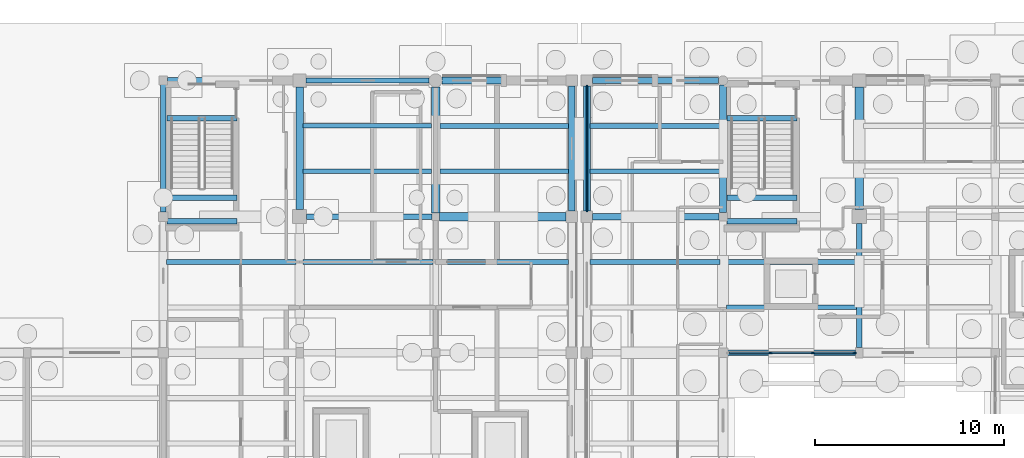
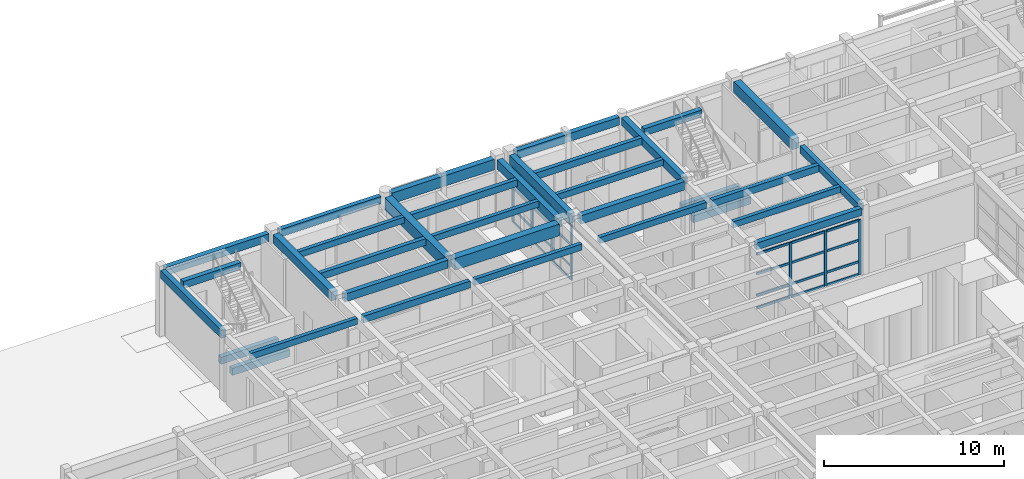
# One storey, part 61 of 143: 34 beams, 31 members, 2 elements without a shape of their own.
"""IFC4 building model written with IfcOpenShell, lengths in metres."""

from ifc_helpers import new_model, si_unit, direction, frame, origin, origin_2d, place, context, subcontext, project, spatial, rectangle, extrude, material, material_profile, profile_set, type_object, element, aggregate, save


model = new_model("IFC4")

# Units and contexts
model_context = context("Model", 3, precision=1e-05, world=origin(), true_north=direction((0.0, 1.0)))
body_context = subcontext(model_context, "Body", "Model", "MODEL_VIEW")
ifc_project = project(units=[si_unit("LENGTHUNIT", "METRE"), si_unit("AREAUNIT", "SQUARE_METRE"), si_unit("VOLUMEUNIT", "CUBIC_METRE"), si_unit("PLANEANGLEUNIT", "RADIAN"), si_unit("MASSUNIT", "GRAM", prefix="KILO")], contexts=[model_context])

# Site, building, storey
site_placement = place(None, origin())
site = spatial("IfcSite", under=ifc_project, at=site_placement, CompositionType="ELEMENT")
building_placement = place(site_placement, origin())
building = spatial("IfcBuilding", under=site, at=building_placement, Name="Steenspoor Specialist Clinic", CompositionType="ELEMENT")
storey_placement = place(building_placement, origin())
storey = spatial("IfcBuildingStorey", under=building, at=storey_placement, Name="L00", CompositionType="ELEMENT", Elevation=0.0)

# Beams
ifc_material_1 = material(Name="Concrete C35/45", Category="concrete")
ifc_material_profile_1 = material_profile(ifc_material_1, rectangle(XDim=0.300048828125, YDim=0.47998046875, at=origin_2d()), Name="RC-BM-300X480")
ifc_profile_set_1 = profile_set([ifc_material_profile_1], Name="Concrete C35/45")
beam_type_1 = type_object("IfcBeamType", Name="BM-RC-300X480", PredefinedType="BEAM", material=ifc_profile_set_1)
for number, where, z_axis, x_axis, name in (
    (1, (59.800048828125, 102.14990234375, 1.9599609375), (1.0, 0.0, 0.0), (0.0, 1.0, 0.0), "Stair Mid-Landing Bearer 1 ST-V4A L00"),
    (2, (59.800048828125, 100.89990234375, 1.9599609375), (1.0, 0.0, 0.0), (0.0, 1.0, 0.0), "Stair Mid-Landing Bearer 2 ST-V4A L00"),
    (3, (59.800048828125, 106.35009765625, 4.56005859375), (1.0, 0.0, 0.0), (0.0, 1.0, 0.0), "Stair Well Trimmer Beam ST-V4A L00"),
    (4, (30.199951171875, 102.14990234375, 1.9599609375), (1.0, 0.0, 0.0), (0.0, 1.0, 0.0), "Stair Mid-Landing Bearer 1 ST-V5A L00"),
    (5, (30.199951171875, 100.89990234375, 1.9599609375), (1.0, 0.0, 0.0), (0.0, 1.0, 0.0), "Stair Mid-Landing Bearer 2 ST-V5A L00"),
    (6, (30.199951171875, 106.35009765625, 4.56005859375), (1.0, 0.0, 0.0), (0.0, 1.0, 0.0), "Stair Well Trimmer Beam ST-V5A L00"),
):
    element("IfcBeam", number, at=place(storey_placement, frame(where, z_axis=z_axis, x_axis=x_axis)), inside=storey, type_object=beam_type_1, Name=name, PredefinedType="BEAM", context=body_context, shape_type="SweptSolid", body=[
        extrude(rectangle(XDim=0.300048828125, YDim=0.47998046875, at=origin_2d()), origin(), (0.0, 0.0, 1.0), 3.699951171875),
    ])
beam_1_placement = place(storey_placement, frame((59.844970703125, 93.949951171875, 4.31005859375), z_axis=(1.0, 0.0, 0.0), x_axis=(0.0, 1.0, 0.0)))
element("IfcBeam", 7, at=beam_1_placement, inside=storey, type_object=beam_type_1, Name="BM-V4-L00-X0318", PredefinedType="BEAM", context=body_context, shape_type="SweptSolid", body=[
    extrude(rectangle(XDim=0.300048828125, YDim=0.47998046875, at=origin_2d()), origin(), (0.0, 0.0, 1.0), 6.760009765625),
])
beam_2_placement = place(storey_placement, frame((66.800048828125, 94.219970703125, 4.31005859375), z_axis=(0.0, 1.0, 0.0), x_axis=(-1.0, 0.0, 0.0)))
element("IfcBeam", 8, at=beam_2_placement, inside=storey, type_object=beam_type_1, Name="BM-V4-L00-Y0355", PredefinedType="BEAM", context=body_context, shape_type="SweptSolid", body=[
    extrude(rectangle(XDim=0.300048828125, YDim=0.47998046875, at=origin_2d()), origin(), (0.0, 0.0, 1.0), 6.56005859375),
])
ifc_material_profile_2 = material_profile(ifc_material_1, rectangle(XDim=0.300048828125, YDim=0.550048828125, at=origin_2d()), Name="RC-BM-300X550")
ifc_profile_set_2 = profile_set([ifc_material_profile_2], Name="Concrete C35/45")
beam_type_2 = type_object("IfcBeamType", Name="BM-RC-300X550", PredefinedType="BEAM", material=ifc_profile_set_2)
beam_3_placement = place(storey_placement, frame((37.570068359375, 101.14990234375, 4.2451171875), z_axis=(1.0, 0.0, 0.0), x_axis=(0.0, 1.0, 0.0)))
element("IfcBeam", 9, at=beam_3_placement, inside=storey, type_object=beam_type_2, Name="BM-V5-L00-X1075", PredefinedType="BEAM", context=body_context, shape_type="SweptSolid", body=[
    extrude(rectangle(XDim=0.300048828125, YDim=0.550048828125, at=origin_2d()), origin(), (0.0, 0.0, 1.0), 6.635009765625),
])
beam_4_placement = place(storey_placement, frame((30.0, 101.39501953125, 4.2451171875), z_axis=(0.0, 1.0, 0.0), x_axis=(-1.0, 0.0, 0.0)))
element("IfcBeam", 10, at=beam_4_placement, inside=storey, type_object=beam_type_2, Name="BM-V5-L00-Y1093", PredefinedType="BEAM", context=body_context, shape_type="SweptSolid", body=[
    extrude(rectangle(XDim=0.300048828125, YDim=0.550048828125, at=origin_2d()), origin(), (0.0, 0.0, 1.0), 6.73486328125),
])
ifc_material_profile_3 = material_profile(ifc_material_1, rectangle(XDim=0.35009765625, YDim=0.52001953125, at=origin_2d()), Name="RC-BM-350X520")
ifc_profile_set_3 = profile_set([ifc_material_profile_3], Name="Concrete C35/45")
beam_type_3 = type_object("IfcBeamType", Name="BM-RC-350X520", PredefinedType="BEAM", material=ifc_profile_set_3)
beam_5_placement = place(storey_placement, frame((59.60009765625, 101.3701171875, 4.2900390625), z_axis=(0.0, 1.0, 0.0), x_axis=(-1.0, 0.0, 0.0)))
element("IfcBeam", 11, at=beam_5_placement, inside=storey, type_object=beam_type_3, Name="BM-V4-L00-Y0352", PredefinedType="BEAM", context=body_context, shape_type="SweptSolid", body=[
    extrude(rectangle(XDim=0.35009765625, YDim=0.52001953125, at=origin_2d()), origin(), (0.0, 0.0, 1.0), 6.73486328125),
])
ifc_material_profile_4 = material_profile(ifc_material_1, rectangle(XDim=0.35009765625, YDim=0.580078125, at=origin_2d()), Name="RC-BM-350X580")
ifc_profile_set_4 = profile_set([ifc_material_profile_4], Name="Concrete C35/45")
beam_type_4 = type_object("IfcBeamType", Name="BM-RC-350X580", PredefinedType="BEAM", material=ifc_profile_set_4)
beam_6_placement = place(storey_placement, frame((52.695068359375, 101.14990234375, 4.260009765625), z_axis=(1.0, 0.0, 0.0), x_axis=(0.0, 1.0, 0.0)))
element("IfcBeam", 12, at=beam_6_placement, inside=storey, type_object=beam_type_4, Name="BM-V4-L00-X0326", PredefinedType="BEAM", context=body_context, shape_type="SweptSolid", body=[
    extrude(rectangle(XDim=0.35009765625, YDim=0.580078125, at=origin_2d()), origin(), (0.0, 0.0, 1.0), 6.684814453125),
])
ifc_material_profile_5 = material_profile(ifc_material_1, rectangle(XDim=0.39990234375, YDim=0.580078125, at=origin_2d()), Name="RC-BM-400X580")
ifc_profile_set_5 = profile_set([ifc_material_profile_5], Name="Concrete C35/45")
beam_type_5 = type_object("IfcBeamType", Name="BM-RC-400X580", PredefinedType="BEAM", material=ifc_profile_set_5)
beam_7_placement = place(storey_placement, frame((37.199951171875, 101.52001953125, 4.22998046875), z_axis=(0.0, 1.0, 0.0), x_axis=(-1.0, 0.0, 0.0)))
element("IfcBeam", 13, at=beam_7_placement, inside=storey, type_object=beam_type_5, Name="BM-V5-L00-Y1099", PredefinedType="BEAM", context=body_context, shape_type="SweptSolid", body=[
    extrude(rectangle(XDim=0.39990234375, YDim=0.580078125, at=origin_2d()), origin(), (0.0, 0.0, 1.0), 6.48486328125),
])
ifc_material_profile_6 = material_profile(ifc_material_1, rectangle(XDim=0.449951171875, YDim=0.719970703125, at=origin_2d()), Name="RC-BM-450X720")
ifc_profile_set_6 = profile_set([ifc_material_profile_6], Name="Concrete C35/45")
beam_type_6 = type_object("IfcBeamType", Name="BM-RC-450X720", PredefinedType="BEAM", material=ifc_profile_set_6)
beam_8_placement = place(storey_placement, frame((66.800048828125, 101.52001953125, 4.18994140625), z_axis=(0.0, 1.0, 0.0), x_axis=(-1.0, 0.0, 0.0)))
element("IfcBeam", 14, at=beam_8_placement, inside=storey, type_object=beam_type_6, Name="BM-V4-L00-Y0356", PredefinedType="BEAM", context=body_context, shape_type="SweptSolid", body=[
    extrude(rectangle(XDim=0.449951171875, YDim=0.719970703125, at=origin_2d()), origin(), (0.0, 0.0, 1.0), 6.48486328125),
])
ifc_material_profile_7 = material_profile(ifc_material_1, rectangle(XDim=0.449951171875, YDim=0.800048828125, at=origin_2d()), Name="RC-BM-450X800")
ifc_profile_set_7 = profile_set([ifc_material_profile_7], Name="Concrete C35/45")
beam_type_7 = type_object("IfcBeamType", Name="BM-RC-450X800", PredefinedType="BEAM", material=ifc_profile_set_7)
beam_9_placement = place(storey_placement, frame((44.594970703125, 101.14990234375, 4.1201171875), z_axis=(1.0, 0.0, 0.0), x_axis=(0.0, 1.0, 0.0)))
element("IfcBeam", 15, at=beam_9_placement, inside=storey, type_object=beam_type_7, Name="BM-V5-L00-X1076", PredefinedType="BEAM", context=body_context, shape_type="SweptSolid", body=[
    extrude(rectangle(XDim=0.449951171875, YDim=0.800048828125, at=origin_2d()), origin(), (0.0, 0.0, 1.0), 6.7099609375),
])
beam_10_placement = place(storey_placement, frame((44.39990234375, 101.344970703125, 4.1201171875), z_axis=(0.0, 1.0, 0.0), x_axis=(-1.0, 0.0, 0.0)))
element("IfcBeam", 16, at=beam_10_placement, inside=storey, type_object=beam_type_7, Name="BM-V5-L00-Y1105", PredefinedType="BEAM", context=body_context, shape_type="SweptSolid", body=[
    extrude(rectangle(XDim=0.449951171875, YDim=0.800048828125, at=origin_2d()), origin(), (0.0, 0.0, 1.0), 6.659912109375),
])

# Curtain wall, members
ifc_material_2 = material(Name="Thermally broken aluminium and low-emissivity glass", Category="aluminium")
curtain_wall_type_1 = type_object("IfcCurtainWallType", Name="CW-L00-360X415", PredefinedType="USERDEFINED", material=ifc_material_2)
curtain_wall_1_placement = place(storey_placement, origin())
curtain_wall_1 = element("IfcCurtainWall", 17, at=curtain_wall_1_placement, inside=storey, type_object=curtain_wall_type_1, Name="Unitised Curtain Wall CW-V4-L00-055", ObjectType="UNITISED GLAZING", PredefinedType="USERDEFINED")
ifc_material_3 = material(Name="Thermally broken aluminium 6063-T6", Category="aluminium")
ifc_material_profile_8 = material_profile(ifc_material_3, rectangle(XDim=0.080078125, YDim=0.179931640625, at=origin_2d()), Name="CWM-80X180")
ifc_profile_set_8 = profile_set([ifc_material_profile_8], Name="Thermally broken aluminium 6063-T6")
member_type_1 = type_object("IfcMemberType", Name="CW-MULL-80X180", PredefinedType="MULLION", material=ifc_profile_set_8)
member_1_placement = place(storey_placement, frame((66.56005859375, 93.949951171875, 0.0), z_axis=(0.0, 0.0, 1.0), x_axis=(0.0, -1.0, 0.0)))
member_1 = element("IfcMember", 18, at=member_1_placement, type_object=member_type_1, Name="CW-07 mullion 1", PredefinedType="MULLION", context=body_context, shape_type="SweptSolid", body=[
    extrude(rectangle(XDim=0.080078125, YDim=0.179931640625, at=origin_2d()), origin(), (0.0, 0.0, 1.0), 3.72998046875),
])
member_2_placement = place(storey_placement, frame((64.35009765625, 93.949951171875, 0.0), z_axis=(0.0, 0.0, 1.0), x_axis=(0.0, -1.0, 0.0)))
member_2 = element("IfcMember", 19, at=member_2_placement, type_object=member_type_1, Name="CW-07 mullion 2", PredefinedType="MULLION", context=body_context, shape_type="SweptSolid", body=[
    extrude(rectangle(XDim=0.080078125, YDim=0.179931640625, at=origin_2d()), origin(), (0.0, 0.0, 1.0), 3.72998046875),
])
member_3_placement = place(storey_placement, frame((62.10009765625, 93.949951171875, 0.0), z_axis=(0.0, 0.0, 1.0), x_axis=(0.0, -1.0, 0.0)))
member_3 = element("IfcMember", 20, at=member_3_placement, type_object=member_type_1, Name="CW-07 mullion 3", PredefinedType="MULLION", context=body_context, shape_type="SweptSolid", body=[
    extrude(rectangle(XDim=0.080078125, YDim=0.179931640625, at=origin_2d()), origin(), (0.0, 0.0, 1.0), 3.72998046875),
])

curtain_wall_type_2 = type_object("IfcCurtainWallType", Name="CW-STR-220X355", PredefinedType="USERDEFINED", material=ifc_material_2)
curtain_wall_2_placement = place(storey_placement, origin())
curtain_wall_2 = element("IfcCurtainWall", 21, at=curtain_wall_2_placement, inside=storey, type_object=curtain_wall_type_2, Name="Unitised Curtain Wall CW-V4-L00-047", ObjectType="UNITISED GLAZING", PredefinedType="USERDEFINED")
ifc_material_profile_9 = material_profile(ifc_material_3, rectangle(XDim=0.090087890625, YDim=0.199951171875, at=origin_2d()), Name="CWM-90X200")
ifc_profile_set_9 = profile_set([ifc_material_profile_9], Name="Thermally broken aluminium 6063-T6")
member_type_2 = type_object("IfcMemberType", Name="CW-MULL-90X200", PredefinedType="MULLION", material=ifc_profile_set_9)
member_4_placement = place(storey_placement, frame((52.39990234375, 101.4951171875, 0.0), z_axis=(0.0, 0.0, 1.0), x_axis=(-1.0, 0.0, 0.0)))
member_4 = element("IfcMember", 22, at=member_4_placement, type_object=member_type_2, Name="CW-23 mullion 1", PredefinedType="MULLION", context=body_context, shape_type="SweptSolid", body=[
    extrude(rectangle(XDim=0.090087890625, YDim=0.199951171875, at=origin_2d()), origin(), (0.0, 0.0, 1.0), 3.72998046875),
])
member_5_placement = place(storey_placement, frame((52.39990234375, 103.64990234375, 0.0), z_axis=(0.0, 0.0, 1.0), x_axis=(-1.0, 0.0, 0.0)))
member_5 = element("IfcMember", 23, at=member_5_placement, type_object=member_type_2, Name="CW-23 mullion 2", PredefinedType="MULLION", context=body_context, shape_type="SweptSolid", body=[
    extrude(rectangle(XDim=0.090087890625, YDim=0.199951171875, at=origin_2d()), origin(), (0.0, 0.0, 1.0), 3.72998046875),
])
member_6_placement = place(storey_placement, frame((52.39990234375, 105.85009765625, 0.0), z_axis=(0.0, 0.0, 1.0), x_axis=(-1.0, 0.0, 0.0)))
member_6 = element("IfcMember", 24, at=member_6_placement, type_object=member_type_2, Name="CW-23 mullion 3", PredefinedType="MULLION", context=body_context, shape_type="SweptSolid", body=[
    extrude(rectangle(XDim=0.090087890625, YDim=0.199951171875, at=origin_2d()), origin(), (0.0, 0.0, 1.0), 3.72998046875),
])
member_7_placement = place(storey_placement, frame((52.39990234375, 108.0048828125, 0.0), z_axis=(0.0, 0.0, 1.0), x_axis=(-1.0, 0.0, 0.0)))
member_7 = element("IfcMember", 25, at=member_7_placement, type_object=member_type_2, Name="CW-23 mullion 4", PredefinedType="MULLION", context=body_context, shape_type="SweptSolid", body=[
    extrude(rectangle(XDim=0.090087890625, YDim=0.199951171875, at=origin_2d()), origin(), (0.0, 0.0, 1.0), 3.72998046875),
])
ifc_material_profile_10 = material_profile(ifc_material_3, rectangle(XDim=0.06494140625, YDim=0.1298828125, at=origin_2d()), Name="CWT-65X130")
ifc_profile_set_10 = profile_set([ifc_material_profile_10], Name="Thermally broken aluminium 6063-T6")
member_type_3 = type_object("IfcMemberType", Name="CW-TRAN-65X130", PredefinedType="USERDEFINED", material=ifc_profile_set_10)
member_8_placement = place(storey_placement, frame((52.39990234375, 101.5400390625, 0.032470703125), z_axis=(0.0, 1.0, 0.0), x_axis=(-1.0, 0.0, 0.0)))
member_8 = element("IfcMember", 26, at=member_8_placement, type_object=member_type_3, Name="CW-23 transom 1.1", ObjectType="TRANSOM", PredefinedType="USERDEFINED", context=body_context, shape_type="SweptSolid", body=[
    extrude(rectangle(XDim=0.06494140625, YDim=0.1298828125, at=origin_2d()), origin(), (0.0, 0.0, 1.0), 2.06494140625),
])
member_9_placement = place(storey_placement, frame((52.39990234375, 101.5400390625, 0.89990234375), z_axis=(0.0, 1.0, 0.0), x_axis=(-1.0, 0.0, 0.0)))
member_9 = element("IfcMember", 27, at=member_9_placement, type_object=member_type_3, Name="CW-23 transom 1.2", ObjectType="TRANSOM", PredefinedType="USERDEFINED", context=body_context, shape_type="SweptSolid", body=[
    extrude(rectangle(XDim=0.06494140625, YDim=0.1298828125, at=origin_2d()), origin(), (0.0, 0.0, 1.0), 2.06494140625),
])
member_10_placement = place(storey_placement, frame((52.39990234375, 101.5400390625, 2.35009765625), z_axis=(0.0, 1.0, 0.0), x_axis=(-1.0, 0.0, 0.0)))
member_10 = element("IfcMember", 28, at=member_10_placement, type_object=member_type_3, Name="CW-23 transom 1.3", ObjectType="TRANSOM", PredefinedType="USERDEFINED", context=body_context, shape_type="SweptSolid", body=[
    extrude(rectangle(XDim=0.06494140625, YDim=0.1298828125, at=origin_2d()), origin(), (0.0, 0.0, 1.0), 2.06494140625),
])
member_11_placement = place(storey_placement, frame((52.39990234375, 101.5400390625, 3.697509765625), z_axis=(0.0, 1.0, 0.0), x_axis=(-1.0, 0.0, 0.0)))
member_11 = element("IfcMember", 29, at=member_11_placement, type_object=member_type_3, Name="CW-23 transom 1.4", ObjectType="TRANSOM", PredefinedType="USERDEFINED", context=body_context, shape_type="SweptSolid", body=[
    extrude(rectangle(XDim=0.06494140625, YDim=0.1298828125, at=origin_2d()), origin(), (0.0, 0.0, 1.0), 2.06494140625),
])
member_12_placement = place(storey_placement, frame((52.39990234375, 103.695068359375, 0.032470703125), z_axis=(0.0, 1.0, 0.0), x_axis=(-1.0, 0.0, 0.0)))
member_12 = element("IfcMember", 30, at=member_12_placement, type_object=member_type_3, Name="CW-23 transom 2.1", ObjectType="TRANSOM", PredefinedType="USERDEFINED", context=body_context, shape_type="SweptSolid", body=[
    extrude(rectangle(XDim=0.06494140625, YDim=0.1298828125, at=origin_2d()), origin(), (0.0, 0.0, 1.0), 2.10986328125),
])
member_13_placement = place(storey_placement, frame((52.39990234375, 103.695068359375, 0.89990234375), z_axis=(0.0, 1.0, 0.0), x_axis=(-1.0, 0.0, 0.0)))
member_13 = element("IfcMember", 31, at=member_13_placement, type_object=member_type_3, Name="CW-23 transom 2.2", ObjectType="TRANSOM", PredefinedType="USERDEFINED", context=body_context, shape_type="SweptSolid", body=[
    extrude(rectangle(XDim=0.06494140625, YDim=0.1298828125, at=origin_2d()), origin(), (0.0, 0.0, 1.0), 2.10986328125),
])
member_14_placement = place(storey_placement, frame((52.39990234375, 103.695068359375, 2.35009765625), z_axis=(0.0, 1.0, 0.0), x_axis=(-1.0, 0.0, 0.0)))
member_14 = element("IfcMember", 32, at=member_14_placement, type_object=member_type_3, Name="CW-23 transom 2.3", ObjectType="TRANSOM", PredefinedType="USERDEFINED", context=body_context, shape_type="SweptSolid", body=[
    extrude(rectangle(XDim=0.06494140625, YDim=0.1298828125, at=origin_2d()), origin(), (0.0, 0.0, 1.0), 2.10986328125),
])
member_15_placement = place(storey_placement, frame((52.39990234375, 103.695068359375, 3.697509765625), z_axis=(0.0, 1.0, 0.0), x_axis=(-1.0, 0.0, 0.0)))
member_15 = element("IfcMember", 33, at=member_15_placement, type_object=member_type_3, Name="CW-23 transom 2.4", ObjectType="TRANSOM", PredefinedType="USERDEFINED", context=body_context, shape_type="SweptSolid", body=[
    extrude(rectangle(XDim=0.06494140625, YDim=0.1298828125, at=origin_2d()), origin(), (0.0, 0.0, 1.0), 2.10986328125),
])
member_16_placement = place(storey_placement, frame((52.39990234375, 105.89501953125, 0.032470703125), z_axis=(0.0, 1.0, 0.0), x_axis=(-1.0, 0.0, 0.0)))
member_16 = element("IfcMember", 34, at=member_16_placement, type_object=member_type_3, Name="CW-23 transom 3.1", ObjectType="TRANSOM", PredefinedType="USERDEFINED", context=body_context, shape_type="SweptSolid", body=[
    extrude(rectangle(XDim=0.06494140625, YDim=0.1298828125, at=origin_2d()), origin(), (0.0, 0.0, 1.0), 2.06494140625),
])
member_17_placement = place(storey_placement, frame((52.39990234375, 105.89501953125, 0.89990234375), z_axis=(0.0, 1.0, 0.0), x_axis=(-1.0, 0.0, 0.0)))
member_17 = element("IfcMember", 35, at=member_17_placement, type_object=member_type_3, Name="CW-23 transom 3.2", ObjectType="TRANSOM", PredefinedType="USERDEFINED", context=body_context, shape_type="SweptSolid", body=[
    extrude(rectangle(XDim=0.06494140625, YDim=0.1298828125, at=origin_2d()), origin(), (0.0, 0.0, 1.0), 2.06494140625),
])
member_18_placement = place(storey_placement, frame((52.39990234375, 105.89501953125, 2.35009765625), z_axis=(0.0, 1.0, 0.0), x_axis=(-1.0, 0.0, 0.0)))
member_18 = element("IfcMember", 36, at=member_18_placement, type_object=member_type_3, Name="CW-23 transom 3.3", ObjectType="TRANSOM", PredefinedType="USERDEFINED", context=body_context, shape_type="SweptSolid", body=[
    extrude(rectangle(XDim=0.06494140625, YDim=0.1298828125, at=origin_2d()), origin(), (0.0, 0.0, 1.0), 2.06494140625),
])
member_19_placement = place(storey_placement, frame((52.39990234375, 105.89501953125, 3.697509765625), z_axis=(0.0, 1.0, 0.0), x_axis=(-1.0, 0.0, 0.0)))
member_19 = element("IfcMember", 37, at=member_19_placement, type_object=member_type_3, Name="CW-23 transom 3.4", ObjectType="TRANSOM", PredefinedType="USERDEFINED", context=body_context, shape_type="SweptSolid", body=[
    extrude(rectangle(XDim=0.06494140625, YDim=0.1298828125, at=origin_2d()), origin(), (0.0, 0.0, 1.0), 2.06494140625),
])
aggregate(curtain_wall_2, [member_4, member_5, member_6, member_7, member_8, member_9, member_10, member_11, member_12, member_13, member_14, member_15, member_16, member_17, member_18, member_19])

# Member
ifc_material_profile_11 = material_profile(ifc_material_3, rectangle(XDim=0.080078125, YDim=0.159912109375, at=origin_2d()), Name="CWT-80X160")
ifc_profile_set_11 = profile_set([ifc_material_profile_11], Name="Thermally broken aluminium 6063-T6")
member_type_4 = type_object("IfcMemberType", Name="CW-TRAN-80X160", PredefinedType="USERDEFINED", material=ifc_profile_set_11)
member_20_placement = place(storey_placement, frame((66.52001953125, 93.949951171875, 0.0400390625), z_axis=(-1.0, 0.0, 0.0), x_axis=(0.0, -1.0, 0.0)))
member_20 = element("IfcMember", 38, at=member_20_placement, type_object=member_type_4, Name="CW-07 transom 1.1", ObjectType="TRANSOM", PredefinedType="USERDEFINED", context=body_context, shape_type="SweptSolid", body=[
    extrude(rectangle(XDim=0.080078125, YDim=0.159912109375, at=origin_2d()), origin(), (0.0, 0.0, 1.0), 2.130126953125),
])

member_21_placement = place(storey_placement, frame((66.52001953125, 93.949951171875, 0.89990234375), z_axis=(-1.0, 0.0, 0.0), x_axis=(0.0, -1.0, 0.0)))
member_21 = element("IfcMember", 39, at=member_21_placement, type_object=member_type_4, Name="CW-07 transom 1.2", ObjectType="TRANSOM", PredefinedType="USERDEFINED", context=body_context, shape_type="SweptSolid", body=[
    extrude(rectangle(XDim=0.080078125, YDim=0.159912109375, at=origin_2d()), origin(), (0.0, 0.0, 1.0), 2.130126953125),
])

member_22_placement = place(storey_placement, frame((66.52001953125, 93.949951171875, 2.35009765625), z_axis=(-1.0, 0.0, 0.0), x_axis=(0.0, -1.0, 0.0)))
member_22 = element("IfcMember", 40, at=member_22_placement, type_object=member_type_4, Name="CW-07 transom 1.3", ObjectType="TRANSOM", PredefinedType="USERDEFINED", context=body_context, shape_type="SweptSolid", body=[
    extrude(rectangle(XDim=0.080078125, YDim=0.159912109375, at=origin_2d()), origin(), (0.0, 0.0, 1.0), 2.130126953125),
])

member_23_placement = place(storey_placement, frame((66.52001953125, 93.949951171875, 3.68994140625), z_axis=(-1.0, 0.0, 0.0), x_axis=(0.0, -1.0, 0.0)))
member_23 = element("IfcMember", 41, at=member_23_placement, type_object=member_type_4, Name="CW-07 transom 1.4", ObjectType="TRANSOM", PredefinedType="USERDEFINED", context=body_context, shape_type="SweptSolid", body=[
    extrude(rectangle(XDim=0.080078125, YDim=0.159912109375, at=origin_2d()), origin(), (0.0, 0.0, 1.0), 2.130126953125),
])

member_24_placement = place(storey_placement, frame((64.31005859375, 93.949951171875, 0.0400390625), z_axis=(-1.0, 0.0, 0.0), x_axis=(0.0, -1.0, 0.0)))
member_24 = element("IfcMember", 42, at=member_24_placement, type_object=member_type_4, Name="CW-07 transom 2.1", ObjectType="TRANSOM", PredefinedType="USERDEFINED", context=body_context, shape_type="SweptSolid", body=[
    extrude(rectangle(XDim=0.080078125, YDim=0.159912109375, at=origin_2d()), origin(), (0.0, 0.0, 1.0), 2.170166015625),
])

member_25_placement = place(storey_placement, frame((64.31005859375, 93.949951171875, 0.89990234375), z_axis=(-1.0, 0.0, 0.0), x_axis=(0.0, -1.0, 0.0)))
member_25 = element("IfcMember", 43, at=member_25_placement, type_object=member_type_4, Name="CW-07 transom 2.2", ObjectType="TRANSOM", PredefinedType="USERDEFINED", context=body_context, shape_type="SweptSolid", body=[
    extrude(rectangle(XDim=0.080078125, YDim=0.159912109375, at=origin_2d()), origin(), (0.0, 0.0, 1.0), 2.170166015625),
])

member_26_placement = place(storey_placement, frame((64.31005859375, 93.949951171875, 2.35009765625), z_axis=(-1.0, 0.0, 0.0), x_axis=(0.0, -1.0, 0.0)))
member_26 = element("IfcMember", 44, at=member_26_placement, type_object=member_type_4, Name="CW-07 transom 2.3", ObjectType="TRANSOM", PredefinedType="USERDEFINED", context=body_context, shape_type="SweptSolid", body=[
    extrude(rectangle(XDim=0.080078125, YDim=0.159912109375, at=origin_2d()), origin(), (0.0, 0.0, 1.0), 2.170166015625),
])

member_27_placement = place(storey_placement, frame((64.31005859375, 93.949951171875, 3.68994140625), z_axis=(-1.0, 0.0, 0.0), x_axis=(0.0, -1.0, 0.0)))
member_27 = element("IfcMember", 45, at=member_27_placement, type_object=member_type_4, Name="CW-07 transom 2.4", ObjectType="TRANSOM", PredefinedType="USERDEFINED", context=body_context, shape_type="SweptSolid", body=[
    extrude(rectangle(XDim=0.080078125, YDim=0.159912109375, at=origin_2d()), origin(), (0.0, 0.0, 1.0), 2.170166015625),
])

member_28_placement = place(storey_placement, frame((62.06005859375, 93.949951171875, 0.0400390625), z_axis=(-1.0, 0.0, 0.0), x_axis=(0.0, -1.0, 0.0)))
member_28 = element("IfcMember", 46, at=member_28_placement, type_object=member_type_4, Name="CW-07 transom 3.1", ObjectType="TRANSOM", PredefinedType="USERDEFINED", context=body_context, shape_type="SweptSolid", body=[
    extrude(rectangle(XDim=0.080078125, YDim=0.159912109375, at=origin_2d()), origin(), (0.0, 0.0, 1.0), 2.130126953125),
])

member_29_placement = place(storey_placement, frame((62.06005859375, 93.949951171875, 0.89990234375), z_axis=(-1.0, 0.0, 0.0), x_axis=(0.0, -1.0, 0.0)))
member_29 = element("IfcMember", 47, at=member_29_placement, type_object=member_type_4, Name="CW-07 transom 3.2", ObjectType="TRANSOM", PredefinedType="USERDEFINED", context=body_context, shape_type="SweptSolid", body=[
    extrude(rectangle(XDim=0.080078125, YDim=0.159912109375, at=origin_2d()), origin(), (0.0, 0.0, 1.0), 2.130126953125),
])

member_30_placement = place(storey_placement, frame((62.06005859375, 93.949951171875, 2.35009765625), z_axis=(-1.0, 0.0, 0.0), x_axis=(0.0, -1.0, 0.0)))
member_30 = element("IfcMember", 48, at=member_30_placement, type_object=member_type_4, Name="CW-07 transom 3.3", ObjectType="TRANSOM", PredefinedType="USERDEFINED", context=body_context, shape_type="SweptSolid", body=[
    extrude(rectangle(XDim=0.080078125, YDim=0.159912109375, at=origin_2d()), origin(), (0.0, 0.0, 1.0), 2.130126953125),
])

member_31_placement = place(storey_placement, frame((62.06005859375, 93.949951171875, 3.68994140625), z_axis=(-1.0, 0.0, 0.0), x_axis=(0.0, -1.0, 0.0)))
member_31 = element("IfcMember", 49, at=member_31_placement, type_object=member_type_4, Name="CW-07 transom 3.4", ObjectType="TRANSOM", PredefinedType="USERDEFINED", context=body_context, shape_type="SweptSolid", body=[
    extrude(rectangle(XDim=0.080078125, YDim=0.159912109375, at=origin_2d()), origin(), (0.0, 0.0, 1.0), 2.130126953125),
])

aggregate(curtain_wall_1, [member_1, member_2, member_3, member_20, member_21, member_22, member_23, member_24, member_25, member_26, member_27, member_28, member_29, member_30, member_31])

# Beams
ifc_material_profile_12 = material_profile(ifc_material_1, rectangle(XDim=0.239990234375, YDim=0.419921875, at=origin_2d()), Name="RC-JT-240X420")
ifc_profile_set_12 = profile_set([ifc_material_profile_12], Name="Concrete C35/45")
beam_type_8 = type_object("IfcBeamType", Name="JT-RC-240X420", PredefinedType="JOIST", material=ifc_profile_set_12)
for number, where, z_axis, x_axis, name in (
    (50, (52.574951171875, 98.75, 4.340087890625), (1.0, 0.0, 0.0), (0.0, 1.0, 0.0), "JT-V4-L00-0406"),
    (51, (52.574951171875, 103.550048828125, 4.340087890625), (1.0, 0.0, 0.0), (0.0, 1.0, 0.0), "JT-V4-L00-0407"),
):
    element("IfcBeam", number, at=place(storey_placement, frame(where, z_axis=z_axis, x_axis=x_axis)), inside=storey, type_object=beam_type_8, Name=name, PredefinedType="JOIST", context=body_context, shape_type="SweptSolid", body=[
        extrude(rectangle(XDim=0.239990234375, YDim=0.419921875, at=origin_2d()), origin(), (0.0, 0.0, 1.0), 6.85498046875),
    ])
beam_11_placement = place(storey_placement, frame((59.77001953125, 96.35009765625, 4.340087890625), z_axis=(1.0, 0.0, 0.0), x_axis=(0.0, 1.0, 0.0)))
element("IfcBeam", 52, at=beam_11_placement, inside=storey, type_object=beam_type_8, Name="JT-V4-L00-0413", PredefinedType="JOIST", context=body_context, shape_type="SweptSolid", body=[
    extrude(rectangle(XDim=0.239990234375, YDim=0.419921875, at=origin_2d()), origin(), (0.0, 0.0, 1.0), 6.885009765625),
])
beam_12_placement = place(storey_placement, frame((30.169921875, 98.75, 4.31005859375), z_axis=(1.0, 0.0, 0.0), x_axis=(0.0, 1.0, 0.0)))
element("IfcBeam", 53, at=beam_12_placement, inside=storey, type_object=beam_type_8, Name="JT-V5-L00-1131", PredefinedType="JOIST", context=body_context, shape_type="SweptSolid", body=[
    extrude(rectangle(XDim=0.239990234375, YDim=0.419921875, at=origin_2d()), origin(), (0.0, 0.0, 1.0), 6.8349609375),
])
beam_13_placement = place(storey_placement, frame((37.39501953125, 105.949951171875, 4.31005859375), z_axis=(1.0, 0.0, 0.0), x_axis=(0.0, 1.0, 0.0)))
element("IfcBeam", 54, at=beam_13_placement, inside=storey, type_object=beam_type_8, Name="JT-V5-L00-1142", PredefinedType="JOIST", context=body_context, shape_type="SweptSolid", body=[
    extrude(rectangle(XDim=0.239990234375, YDim=0.419921875, at=origin_2d()), origin(), (0.0, 0.0, 1.0), 6.784912109375),
])
beam_14_placement = place(storey_placement, frame((44.544921875, 98.75, 4.31005859375), z_axis=(1.0, 0.0, 0.0), x_axis=(0.0, 1.0, 0.0)))
element("IfcBeam", 55, at=beam_14_placement, inside=storey, type_object=beam_type_8, Name="JT-V5-L00-1151", PredefinedType="JOIST", context=body_context, shape_type="SweptSolid", body=[
    extrude(rectangle(XDim=0.239990234375, YDim=0.419921875, at=origin_2d()), origin(), (0.0, 0.0, 1.0), 6.880126953125),
])
beam_15_placement = place(storey_placement, frame((44.6201171875, 103.550048828125, 4.31005859375), z_axis=(1.0, 0.0, 0.0), x_axis=(0.0, 1.0, 0.0)))
element("IfcBeam", 56, at=beam_15_placement, inside=storey, type_object=beam_type_8, Name="JT-V5-L00-1152", PredefinedType="JOIST", context=body_context, shape_type="SweptSolid", body=[
    extrude(rectangle(XDim=0.239990234375, YDim=0.419921875, at=origin_2d()), origin(), (0.0, 0.0, 1.0), 6.804931640625),
])
ifc_material_profile_13 = material_profile(ifc_material_1, rectangle(XDim=0.260009765625, YDim=0.4599609375, at=origin_2d()), Name="RC-JT-260X460")
ifc_profile_set_13 = profile_set([ifc_material_profile_13], Name="Concrete C35/45")
beam_type_9 = type_object("IfcBeamType", Name="JT-RC-260X460", PredefinedType="JOIST", material=ifc_profile_set_13)
beam_16_placement = place(storey_placement, frame((52.574951171875, 105.949951171875, 4.320068359375), z_axis=(1.0, 0.0, 0.0), x_axis=(0.0, 1.0, 0.0)))
element("IfcBeam", 57, at=beam_16_placement, inside=storey, type_object=beam_type_9, Name="JT-V4-L00-0408", PredefinedType="JOIST", context=body_context, shape_type="SweptSolid", body=[
    extrude(rectangle(XDim=0.260009765625, YDim=0.4599609375, at=origin_2d()), origin(), (0.0, 0.0, 1.0), 6.85498046875),
])
beam_17_placement = place(storey_placement, frame((59.77001953125, 98.75, 4.320068359375), z_axis=(1.0, 0.0, 0.0), x_axis=(0.0, 1.0, 0.0)))
element("IfcBeam", 58, at=beam_17_placement, inside=storey, type_object=beam_type_9, Name="JT-V4-L00-0414", PredefinedType="JOIST", context=body_context, shape_type="SweptSolid", body=[
    extrude(rectangle(XDim=0.260009765625, YDim=0.4599609375, at=origin_2d()), origin(), (0.0, 0.0, 1.0), 6.885009765625),
])
beam_18_placement = place(storey_placement, frame((37.39501953125, 98.75, 4.2900390625), z_axis=(1.0, 0.0, 0.0), x_axis=(0.0, 1.0, 0.0)))
element("IfcBeam", 59, at=beam_18_placement, inside=storey, type_object=beam_type_9, Name="JT-V5-L00-1140", PredefinedType="JOIST", context=body_context, shape_type="SweptSolid", body=[
    extrude(rectangle(XDim=0.260009765625, YDim=0.4599609375, at=origin_2d()), origin(), (0.0, 0.0, 1.0), 6.85986328125),
])
beam_19_placement = place(storey_placement, frame((37.39501953125, 103.550048828125, 4.2900390625), z_axis=(1.0, 0.0, 0.0), x_axis=(0.0, 1.0, 0.0)))
element("IfcBeam", 60, at=beam_19_placement, inside=storey, type_object=beam_type_9, Name="JT-V5-L00-1141", PredefinedType="JOIST", context=body_context, shape_type="SweptSolid", body=[
    extrude(rectangle(XDim=0.260009765625, YDim=0.4599609375, at=origin_2d()), origin(), (0.0, 0.0, 1.0), 6.784912109375),
])
beam_20_placement = place(storey_placement, frame((44.6201171875, 105.949951171875, 4.2900390625), z_axis=(1.0, 0.0, 0.0), x_axis=(0.0, 1.0, 0.0)))
element("IfcBeam", 61, at=beam_20_placement, inside=storey, type_object=beam_type_9, Name="JT-V5-L00-1153", PredefinedType="JOIST", context=body_context, shape_type="SweptSolid", body=[
    extrude(rectangle(XDim=0.260009765625, YDim=0.4599609375, at=origin_2d()), origin(), (0.0, 0.0, 1.0), 6.804931640625),
])
ifc_material_profile_14 = material_profile(ifc_material_1, rectangle(XDim=0.280029296875, YDim=0.5, at=origin_2d()), Name="RC-SP-280X500")
ifc_profile_set_14 = profile_set([ifc_material_profile_14], Name="Concrete C35/45")
beam_type_10 = type_object("IfcBeamType", Name="SP-RC-280X500", PredefinedType="SPANDREL", material=ifc_profile_set_14)
beam_21_placement = place(storey_placement, frame((37.544921875, 108.35009765625, 4.27001953125), z_axis=(1.0, 0.0, 0.0), x_axis=(0.0, 1.0, 0.0)))
element("IfcBeam", 62, at=beam_21_placement, inside=storey, type_object=beam_type_10, Name="BM-V5-L00-X1078", PredefinedType="SPANDREL", context=body_context, shape_type="SweptSolid", body=[
    extrude(rectangle(XDim=0.280029296875, YDim=0.5, at=origin_2d()), origin(), (0.0, 0.0, 1.0), 6.510009765625),
])
ifc_material_profile_15 = material_profile(ifc_material_1, rectangle(XDim=0.320068359375, YDim=0.5400390625, at=origin_2d()), Name="RC-SP-320X540")
ifc_profile_set_15 = profile_set([ifc_material_profile_15], Name="Concrete C35/45")
beam_type_11 = type_object("IfcBeamType", Name="SP-RC-320X540", PredefinedType="SPANDREL", material=ifc_profile_set_15)
beam_22_placement = place(storey_placement, frame((52.695068359375, 108.35009765625, 4.280029296875), z_axis=(1.0, 0.0, 0.0), x_axis=(0.0, 1.0, 0.0)))
element("IfcBeam", 63, at=beam_22_placement, inside=storey, type_object=beam_type_11, Name="BM-V4-L00-X0332", PredefinedType="SPANDREL", context=body_context, shape_type="SweptSolid", body=[
    extrude(rectangle(XDim=0.320068359375, YDim=0.5400390625, at=origin_2d()), origin(), (0.0, 0.0, 1.0), 6.659912109375),
])
beam_23_placement = place(storey_placement, frame((30.219970703125, 108.35009765625, 4.25), z_axis=(1.0, 0.0, 0.0), x_axis=(0.0, 1.0, 0.0)))
element("IfcBeam", 64, at=beam_23_placement, inside=storey, type_object=beam_type_11, Name="BM-V5-L00-X1077", PredefinedType="SPANDREL", context=body_context, shape_type="SweptSolid", body=[
    extrude(rectangle(XDim=0.320068359375, YDim=0.5400390625, at=origin_2d()), origin(), (0.0, 0.0, 1.0), 6.635009765625),
])
ifc_material_profile_16 = material_profile(ifc_material_1, rectangle(XDim=0.360107421875, YDim=0.639892578125, at=origin_2d()), Name="RC-SP-360X640")
ifc_profile_set_16 = profile_set([ifc_material_profile_16], Name="Concrete C35/45")
beam_type_12 = type_object("IfcBeamType", Name="SP-RC-360X640", PredefinedType="SPANDREL", material=ifc_profile_set_16)
for number, where, z_axis, x_axis, name in (
    (65, (52.39990234375, 101.445068359375, 4.22998046875), (0.0, 1.0, 0.0), (-1.0, 0.0, 0.0), "BM-V4-L00-Y0346"),
    (66, (51.60009765625, 101.445068359375, 4.199951171875), (0.0, 1.0, 0.0), (-1.0, 0.0, 0.0), "BM-V5-L00-Y1111"),
):
    element("IfcBeam", number, at=place(storey_placement, frame(where, z_axis=z_axis, x_axis=x_axis)), inside=storey, type_object=beam_type_12, Name=name, PredefinedType="SPANDREL", context=body_context, shape_type="SweptSolid", body=[
        extrude(rectangle(XDim=0.360107421875, YDim=0.639892578125, at=origin_2d()), origin(), (0.0, 0.0, 1.0), 6.60986328125),
    ])
ifc_material_profile_17 = material_profile(ifc_material_1, rectangle(XDim=0.360107421875, YDim=0.719970703125, at=origin_2d()), Name="RC-SP-360X720")
ifc_profile_set_17 = profile_set([ifc_material_profile_17], Name="Concrete C35/45")
beam_type_13 = type_object("IfcBeamType", Name="SP-RC-360X720", PredefinedType="SPANDREL", material=ifc_profile_set_17)
beam_24_placement = place(storey_placement, frame((44.7451171875, 108.35009765625, 4.159912109375), z_axis=(1.0, 0.0, 0.0), x_axis=(0.0, 1.0, 0.0)))
element("IfcBeam", 67, at=beam_24_placement, inside=storey, type_object=beam_type_13, Name="BM-V5-L00-X1079", PredefinedType="SPANDREL", context=body_context, shape_type="SweptSolid", body=[
    extrude(rectangle(XDim=0.360107421875, YDim=0.719970703125, at=origin_2d()), origin(), (0.0, 0.0, 1.0), 6.559814453125),
])

save(model, "model.ifc")
